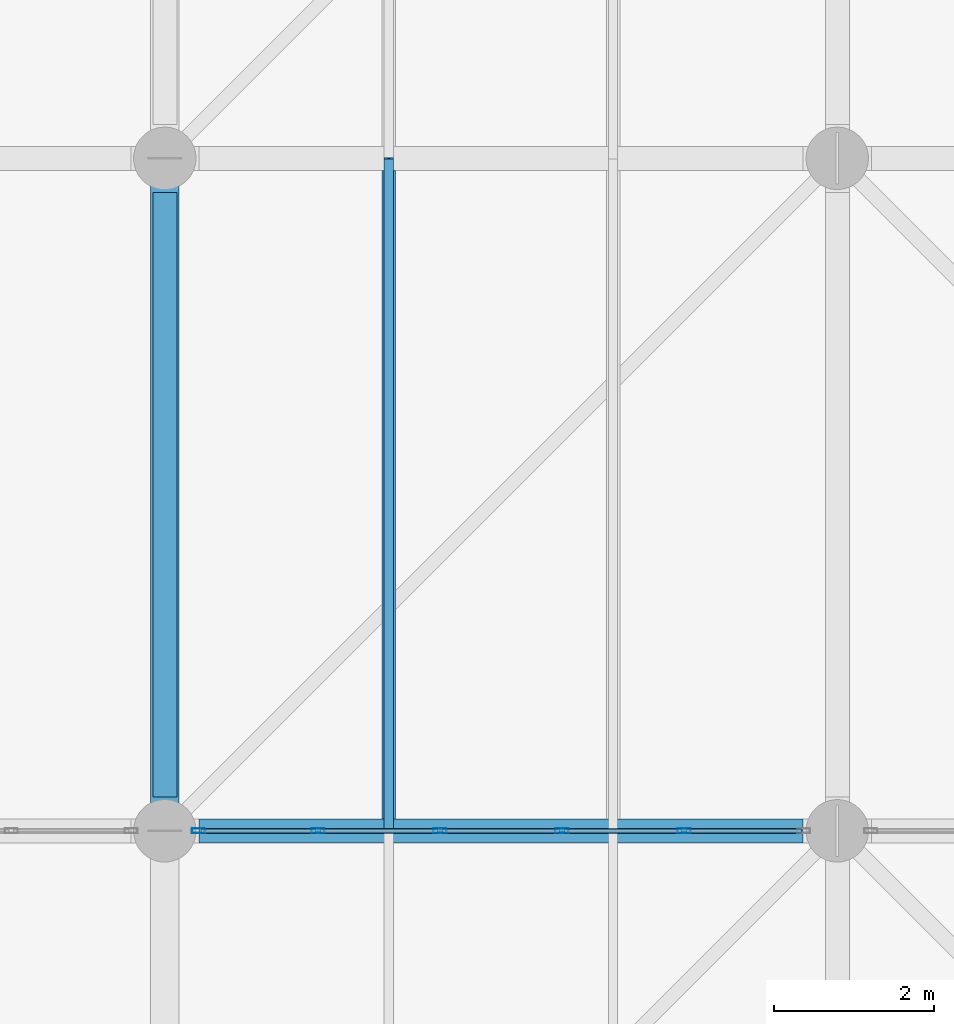
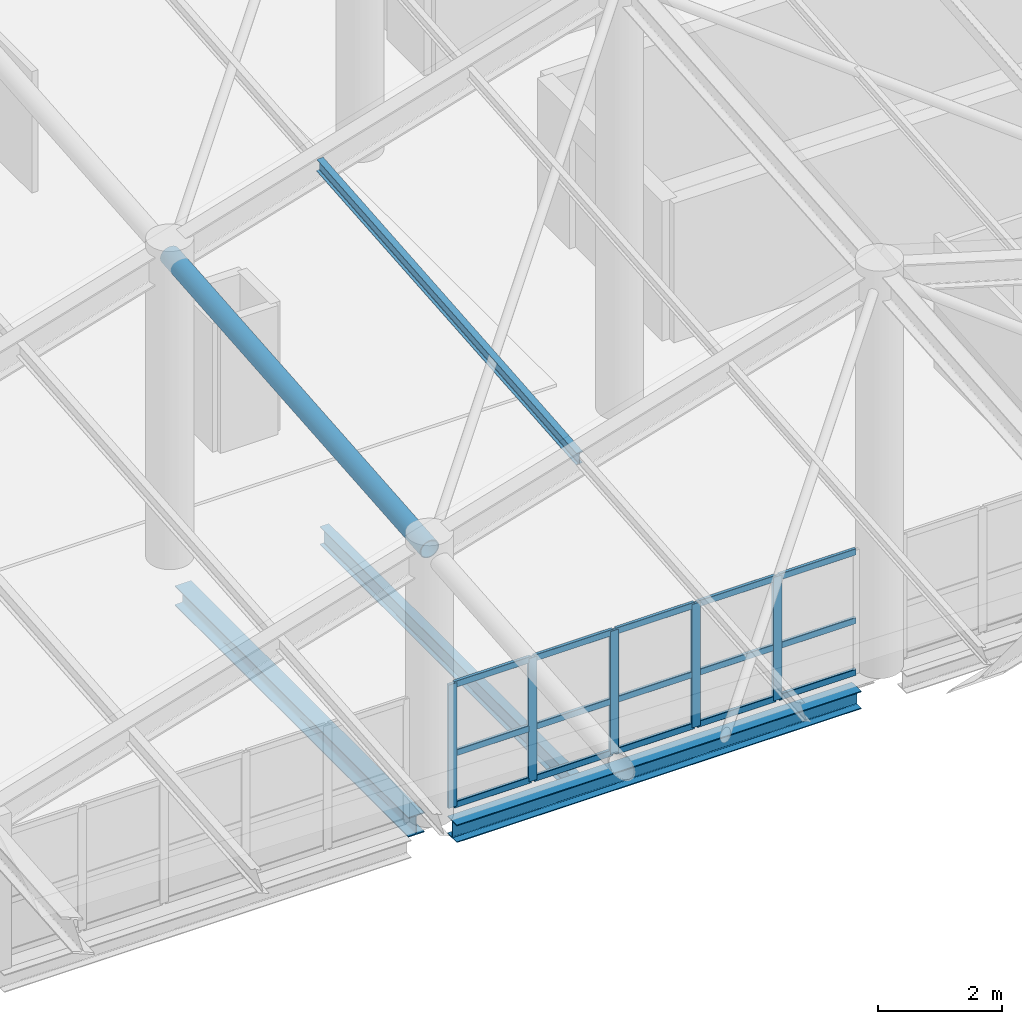
# One storey, part 27 of 95: 22 members, 3 beams, 1 element without a shape of its own.
"""IFC4 building model written with IfcOpenShell, lengths in metres."""

from ifc_helpers import new_model, si_unit, direction, frame, origin, origin_2d, place, context, subcontext, project, spatial, hollow_rectangle, hollow_circle, i_section, extrude, material, layer, layer_set, material_profile, profile_set, type_object, element, aggregate, save


model = new_model("IFC4")

# Units and contexts
model_context = context("Model", 3, precision=1e-05, world=origin(), true_north=direction((0.0, 1.0)))
body_context = subcontext(model_context, "Body", "Model", "MODEL_VIEW")
ifc_project = project(units=[si_unit("LENGTHUNIT", "METRE"), si_unit("AREAUNIT", "SQUARE_METRE"), si_unit("VOLUMEUNIT", "CUBIC_METRE"), si_unit("PLANEANGLEUNIT", "RADIAN"), si_unit("MASSUNIT", "GRAM", prefix="KILO"), si_unit("THERMODYNAMICTEMPERATUREUNIT", "KELVIN"), si_unit("POWERUNIT", "WATT")], contexts=[model_context])

# Site, building, storey
site_placement = place(None, origin())
site = spatial("IfcSite", under=ifc_project, at=site_placement, CompositionType="ELEMENT")
building_placement = place(site_placement, origin())
building = spatial("IfcBuilding", under=site, at=building_placement, Name="Mavoryth Pier Ferry Terminal", CompositionType="ELEMENT")
storey_placement = place(building_placement, frame((0.0, 0.0, 9.60009765625)))
storey = spatial("IfcBuildingStorey", under=building, at=storey_placement, Name="L02", CompositionType="ELEMENT", Elevation=9.60009765625)

# Beam
ifc_material_1 = material(Name="Steel S355J2", Category="steel")
ifc_material_profile_1 = material_profile(ifc_material_1, i_section(OverallWidth=0.300048828125, OverallDepth=0.389892578125, WebThickness=0.010986328125, FlangeThickness=0.01904296875, FilletRadius=0.027099609375, at=origin_2d()), Name="HEA 400", Category="steel")
ifc_profile_set_1 = profile_set([ifc_material_profile_1], Name="Steel S355J2 - HEA 400")
beam_type_1 = type_object("IfcBeamType", Name="Beam-Steel-HEA400", PredefinedType="BEAM", material=ifc_profile_set_1)
beam_1_placement = place(storey_placement, frame((8.39990234375, 72.824951171875, -0.47509765625), z_axis=(0.0, 1.0, 0.0), x_axis=(-1.0, 0.0, 0.0)))
element("IfcBeam", 1, at=beam_1_placement, inside=storey, type_object=beam_type_1, Name="Beam B02-SB04-0633", PredefinedType="BEAM", context=body_context, shape_type="SweptSolid", body=[
    extrude(i_section(OverallWidth=0.300048828125, OverallDepth=0.389892578125, WebThickness=0.010986328125, FlangeThickness=0.01904296875, FilletRadius=0.027099609375, at=origin_2d()), origin(), (0.0, 0.0, 1.0), 7.550048828125),
])

# Member
ifc_material_profile_2 = material_profile(ifc_material_1, hollow_circle(Radius=0.177734375, WallThickness=0.01611328125, at=origin_2d()), Name="CHS 355.6x16.0", Category="steel")
ifc_profile_set_2 = profile_set([ifc_material_profile_2], Name="Steel S355J2 - CHS 355.6x16.0")
member_type_1 = type_object("IfcMemberType", Name="Chord-Valley-CHS356", PredefinedType="CHORD", material=ifc_profile_set_2)
member_1_placement = place(storey_placement, frame((8.39990234375, 72.39990234375, 5.2275390625), z_axis=(0.0, 0.996403523637, 0.084734987362), x_axis=(-1.0, 0.0, 0.0)))
element("IfcMember", 2, at=member_1_placement, inside=storey, type_object=member_type_1, Name="Steel Member MB-L02-0118", PredefinedType="CHORD", context=body_context, shape_type="SweptSolid", body=[
    extrude(hollow_circle(Radius=0.177734375, WallThickness=0.01611328125, at=origin_2d()), origin(), (0.0, 0.0, 1.0), 8.430419921875),
])

# Beam
ifc_material_profile_3 = material_profile(ifc_material_1, i_section(OverallWidth=0.169921875, OverallDepth=0.360107421875, WebThickness=0.008056640625, FlangeThickness=0.0126953125, FilletRadius=0.01806640625, at=origin_2d()), Name="IPE 360", Category="steel")
ifc_profile_set_3 = profile_set([ifc_material_profile_3], Name="Steel S355J2 - IPE 360")
beam_type_2 = type_object("IfcBeamType", Name="Joist-Steel-IPE360", PredefinedType="JOIST", material=ifc_profile_set_3)
beam_2_placement = place(storey_placement, frame((11.199951171875, 72.550048828125, -0.460205078125), z_axis=(0.0, 1.0, 0.0), x_axis=(-1.0, 0.0, 0.0)))
element("IfcBeam", 3, at=beam_2_placement, inside=storey, type_object=beam_type_2, Name="Beam B02-SJ02-0661", PredefinedType="JOIST", context=body_context, shape_type="SweptSolid", body=[
    extrude(i_section(OverallWidth=0.169921875, OverallDepth=0.360107421875, WebThickness=0.008056640625, FlangeThickness=0.0126953125, FilletRadius=0.01806640625, at=origin_2d()), origin(), (0.0, 0.0, 1.0), 8.099853515625),
])

# Curtain wall, members
ifc_material_2 = material(Name="Anodised Aluminium and Solar-Control Low-E Glass", Category="aluminium")
ifc_layer = layer(ifc_material_2, 0.179931640625, Name="Anodised Aluminium and Solar-Control Low-E Glass", Category="aluminium")
ifc_layer_set = layer_set([ifc_layer], Name="Anodised Aluminium and Solar-Control Low-E Glass - CW-Concourse-Mod1400")
curtain_wall_type = type_object("IfcCurtainWallType", Name="CW-Concourse-Mod1400", PredefinedType="USERDEFINED", material=ifc_layer_set)
curtain_wall_placement = place(storey_placement, origin())
curtain_wall = element("IfcCurtainWall", 4, at=curtain_wall_placement, inside=storey, type_object=curtain_wall_type, Name="Curtain Wall CW-0222-042", ObjectType="UNITISED CURTAIN WALL", PredefinedType="USERDEFINED")
ifc_material_3 = material(Name="Anodised Aluminium EN AW-6063", Category="aluminium")
ifc_material_profile_4 = material_profile(ifc_material_3, hollow_rectangle(XDim=0.06005859375, YDim=0.1650390625, WallThickness=0.00390625, InnerFilletRadius=0.00390625, OuterFilletRadius=0.008056640625, at=origin_2d()), Name="AL-MULL 165x60x4", Category="aluminium")
ifc_profile_set_4 = profile_set([ifc_material_profile_4], Name="Anodised Aluminium EN AW-6063 - AL-MULL 165x60x4")
member_type_2 = type_object("IfcMemberType", Name="Mullion-Alum-165x60", PredefinedType="MULLION", material=ifc_profile_set_4)
member_2_placement = place(storey_placement, frame((8.820068359375, 72.39990234375, 0.0), z_axis=(0.0, 0.0, 1.0), x_axis=(0.0, 1.0, 0.0)))
member_2 = element("IfcMember", 5, at=member_2_placement, type_object=member_type_2, Name="CW01 mullion 1", PredefinedType="MULLION", context=body_context, shape_type="SweptSolid", body=[
    extrude(hollow_rectangle(XDim=0.06005859375, YDim=0.1650390625, WallThickness=0.00390625, InnerFilletRadius=0.00390625, OuterFilletRadius=0.008056640625, at=origin_2d()), origin(), (0.0, 0.0, 1.0), 2.435791015625),
])
member_3_placement = place(storey_placement, frame((10.31396484375, 72.39990234375, 0.0), z_axis=(0.0, 0.0, 1.0), x_axis=(0.0, 1.0, 0.0)))
member_3 = element("IfcMember", 6, at=member_3_placement, type_object=member_type_2, Name="CW01 mullion 2", PredefinedType="MULLION", context=body_context, shape_type="SweptSolid", body=[
    extrude(hollow_rectangle(XDim=0.06005859375, YDim=0.1650390625, WallThickness=0.00390625, InnerFilletRadius=0.00390625, OuterFilletRadius=0.008056640625, at=origin_2d()), origin(), (0.0, 0.0, 1.0), 2.435791015625),
])
member_4_placement = place(storey_placement, frame((11.837890625, 72.39990234375, 0.0), z_axis=(0.0, 0.0, 1.0), x_axis=(0.0, 1.0, 0.0)))
member_4 = element("IfcMember", 7, at=member_4_placement, type_object=member_type_2, Name="CW01 mullion 3", PredefinedType="MULLION", context=body_context, shape_type="SweptSolid", body=[
    extrude(hollow_rectangle(XDim=0.06005859375, YDim=0.1650390625, WallThickness=0.00390625, InnerFilletRadius=0.00390625, OuterFilletRadius=0.008056640625, at=origin_2d()), origin(), (0.0, 0.0, 1.0), 2.435791015625),
])
member_5_placement = place(storey_placement, frame((13.362060546875, 72.39990234375, 0.0), z_axis=(0.0, 0.0, 1.0), x_axis=(0.0, 1.0, 0.0)))
member_5 = element("IfcMember", 8, at=member_5_placement, type_object=member_type_2, Name="CW01 mullion 4", PredefinedType="MULLION", context=body_context, shape_type="SweptSolid", body=[
    extrude(hollow_rectangle(XDim=0.06005859375, YDim=0.1650390625, WallThickness=0.00390625, InnerFilletRadius=0.00390625, OuterFilletRadius=0.008056640625, at=origin_2d()), origin(), (0.0, 0.0, 1.0), 2.435791015625),
])
member_6_placement = place(storey_placement, frame((14.885986328125, 72.39990234375, 0.0), z_axis=(0.0, 0.0, 1.0), x_axis=(0.0, 1.0, 0.0)))
member_6 = element("IfcMember", 9, at=member_6_placement, type_object=member_type_2, Name="CW01 mullion 5", PredefinedType="MULLION", context=body_context, shape_type="SweptSolid", body=[
    extrude(hollow_rectangle(XDim=0.06005859375, YDim=0.1650390625, WallThickness=0.00390625, InnerFilletRadius=0.00390625, OuterFilletRadius=0.008056640625, at=origin_2d()), origin(), (0.0, 0.0, 1.0), 2.435791015625),
])

# Member
ifc_material_profile_5 = material_profile(ifc_material_1, i_section(OverallWidth=0.1201171875, OverallDepth=0.239990234375, WebThickness=0.006103515625, FlangeThickness=0.009765625, FilletRadius=0.014892578125, at=origin_2d()), Name="IPE 240", Category="steel")
ifc_profile_set_5 = profile_set([ifc_material_profile_5], Name="Steel S355J2 - IPE 240")
member_type_3 = type_object("IfcMemberType", Name="Purlin-Roof-IPE240", PredefinedType="PURLIN", material=ifc_profile_set_5)
member_7_placement = place(storey_placement, frame((11.199951171875, 72.39990234375, 6.040283203125), z_axis=(0.0, 0.996403523637, 0.084734987362), x_axis=(-1.0, 0.0, 0.0)))
element("IfcMember", 10, at=member_7_placement, inside=storey, type_object=member_type_3, Name="Steel Member MB-L02-0122", PredefinedType="PURLIN", context=body_context, shape_type="SweptSolid", body=[
    extrude(i_section(OverallWidth=0.1201171875, OverallDepth=0.239990234375, WebThickness=0.006103515625, FlangeThickness=0.009765625, FilletRadius=0.014892578125, at=origin_2d()), origin(), (0.0, 0.0, 1.0), 8.430419921875),
])

# Beam
ifc_material_profile_6 = material_profile(ifc_material_1, i_section(OverallWidth=0.300048828125, OverallDepth=0.35009765625, WebThickness=0.010009765625, FlangeThickness=0.017578125, FilletRadius=0.027099609375, at=origin_2d()), Name="HEA 360", Category="steel")
ifc_profile_set_6 = profile_set([ifc_material_profile_6], Name="Steel S355J2 - HEA 360")
beam_type_3 = type_object("IfcBeamType", Name="Spandrel-Steel-HEA360", PredefinedType="SPANDREL", material=ifc_profile_set_6)
beam_3_placement = place(storey_placement, frame((8.824951171875, 72.39990234375, -0.455078125), z_axis=(1.0, 0.0, 0.0), x_axis=(0.0, 1.0, 0.0)))
element("IfcBeam", 11, at=beam_3_placement, inside=storey, type_object=beam_type_3, Name="Beam B02-SP03-0605", PredefinedType="SPANDREL", context=body_context, shape_type="SweptSolid", body=[
    extrude(i_section(OverallWidth=0.300048828125, OverallDepth=0.35009765625, WebThickness=0.010009765625, FlangeThickness=0.017578125, FilletRadius=0.027099609375, at=origin_2d()), origin(), (0.0, 0.0, 1.0), 7.550048828125),
])

# Member
ifc_material_profile_7 = material_profile(ifc_material_3, hollow_rectangle(XDim=0.06005859375, YDim=0.125, WallThickness=0.00390625, InnerFilletRadius=0.00390625, OuterFilletRadius=0.008056640625, at=origin_2d()), Name="AL-TRAN 125x60x4", Category="aluminium")
ifc_profile_set_7 = profile_set([ifc_material_profile_7], Name="Anodised Aluminium EN AW-6063 - AL-TRAN 125x60x4")
member_type_4 = type_object("IfcMemberType", Name="Transom-Alum-125x60", PredefinedType="USERDEFINED", material=ifc_profile_set_7)
member_8_placement = place(storey_placement, frame((8.85009765625, 72.39990234375, 0.02978515625), z_axis=(1.0, 0.0, 0.0), x_axis=(0.0, 1.0, 0.0)))
member_8 = element("IfcMember", 12, at=member_8_placement, type_object=member_type_4, Name="CW01 transom 1.1", ObjectType="TRANSOM", PredefinedType="USERDEFINED", context=body_context, shape_type="SweptSolid", body=[
    extrude(hollow_rectangle(XDim=0.06005859375, YDim=0.125, WallThickness=0.00390625, InnerFilletRadius=0.00390625, OuterFilletRadius=0.008056640625, at=origin_2d()), origin(), (0.0, 0.0, 1.0), 1.433837890625),
])

member_9_placement = place(storey_placement, frame((8.85009765625, 72.39990234375, 1.0498046875), z_axis=(1.0, 0.0, 0.0), x_axis=(0.0, 1.0, 0.0)))
member_9 = element("IfcMember", 13, at=member_9_placement, type_object=member_type_4, Name="CW01 transom 1.2", ObjectType="TRANSOM", PredefinedType="USERDEFINED", context=body_context, shape_type="SweptSolid", body=[
    extrude(hollow_rectangle(XDim=0.06005859375, YDim=0.125, WallThickness=0.00390625, InnerFilletRadius=0.00390625, OuterFilletRadius=0.008056640625, at=origin_2d()), origin(), (0.0, 0.0, 1.0), 1.433837890625),
])

member_10_placement = place(storey_placement, frame((8.85009765625, 72.39990234375, 2.406005859375), z_axis=(1.0, 0.0, 0.0), x_axis=(0.0, 1.0, 0.0)))
member_10 = element("IfcMember", 14, at=member_10_placement, type_object=member_type_4, Name="CW01 transom 1.3", ObjectType="TRANSOM", PredefinedType="USERDEFINED", context=body_context, shape_type="SweptSolid", body=[
    extrude(hollow_rectangle(XDim=0.06005859375, YDim=0.125, WallThickness=0.00390625, InnerFilletRadius=0.00390625, OuterFilletRadius=0.008056640625, at=origin_2d()), origin(), (0.0, 0.0, 1.0), 1.433837890625),
])

member_11_placement = place(storey_placement, frame((10.343994140625, 72.39990234375, 0.02978515625), z_axis=(1.0, 0.0, 0.0), x_axis=(0.0, 1.0, 0.0)))
member_11 = element("IfcMember", 15, at=member_11_placement, type_object=member_type_4, Name="CW01 transom 2.1", ObjectType="TRANSOM", PredefinedType="USERDEFINED", context=body_context, shape_type="SweptSolid", body=[
    extrude(hollow_rectangle(XDim=0.06005859375, YDim=0.125, WallThickness=0.00390625, InnerFilletRadius=0.00390625, OuterFilletRadius=0.008056640625, at=origin_2d()), origin(), (0.0, 0.0, 1.0), 1.464111328125),
])

member_12_placement = place(storey_placement, frame((10.343994140625, 72.39990234375, 1.0498046875), z_axis=(1.0, 0.0, 0.0), x_axis=(0.0, 1.0, 0.0)))
member_12 = element("IfcMember", 16, at=member_12_placement, type_object=member_type_4, Name="CW01 transom 2.2", ObjectType="TRANSOM", PredefinedType="USERDEFINED", context=body_context, shape_type="SweptSolid", body=[
    extrude(hollow_rectangle(XDim=0.06005859375, YDim=0.125, WallThickness=0.00390625, InnerFilletRadius=0.00390625, OuterFilletRadius=0.008056640625, at=origin_2d()), origin(), (0.0, 0.0, 1.0), 1.464111328125),
])

member_13_placement = place(storey_placement, frame((10.343994140625, 72.39990234375, 2.406005859375), z_axis=(1.0, 0.0, 0.0), x_axis=(0.0, 1.0, 0.0)))
member_13 = element("IfcMember", 17, at=member_13_placement, type_object=member_type_4, Name="CW01 transom 2.3", ObjectType="TRANSOM", PredefinedType="USERDEFINED", context=body_context, shape_type="SweptSolid", body=[
    extrude(hollow_rectangle(XDim=0.06005859375, YDim=0.125, WallThickness=0.00390625, InnerFilletRadius=0.00390625, OuterFilletRadius=0.008056640625, at=origin_2d()), origin(), (0.0, 0.0, 1.0), 1.464111328125),
])

member_14_placement = place(storey_placement, frame((11.867919921875, 72.39990234375, 0.02978515625), z_axis=(1.0, 0.0, 0.0), x_axis=(0.0, 1.0, 0.0)))
member_14 = element("IfcMember", 18, at=member_14_placement, type_object=member_type_4, Name="CW01 transom 3.1", ObjectType="TRANSOM", PredefinedType="USERDEFINED", context=body_context, shape_type="SweptSolid", body=[
    extrude(hollow_rectangle(XDim=0.06005859375, YDim=0.125, WallThickness=0.00390625, InnerFilletRadius=0.00390625, OuterFilletRadius=0.008056640625, at=origin_2d()), origin(), (0.0, 0.0, 1.0), 1.464111328125),
])

member_15_placement = place(storey_placement, frame((11.867919921875, 72.39990234375, 1.0498046875), z_axis=(1.0, 0.0, 0.0), x_axis=(0.0, 1.0, 0.0)))
member_15 = element("IfcMember", 19, at=member_15_placement, type_object=member_type_4, Name="CW01 transom 3.2", ObjectType="TRANSOM", PredefinedType="USERDEFINED", context=body_context, shape_type="SweptSolid", body=[
    extrude(hollow_rectangle(XDim=0.06005859375, YDim=0.125, WallThickness=0.00390625, InnerFilletRadius=0.00390625, OuterFilletRadius=0.008056640625, at=origin_2d()), origin(), (0.0, 0.0, 1.0), 1.464111328125),
])

member_16_placement = place(storey_placement, frame((11.867919921875, 72.39990234375, 2.406005859375), z_axis=(1.0, 0.0, 0.0), x_axis=(0.0, 1.0, 0.0)))
member_16 = element("IfcMember", 20, at=member_16_placement, type_object=member_type_4, Name="CW01 transom 3.3", ObjectType="TRANSOM", PredefinedType="USERDEFINED", context=body_context, shape_type="SweptSolid", body=[
    extrude(hollow_rectangle(XDim=0.06005859375, YDim=0.125, WallThickness=0.00390625, InnerFilletRadius=0.00390625, OuterFilletRadius=0.008056640625, at=origin_2d()), origin(), (0.0, 0.0, 1.0), 1.464111328125),
])

member_17_placement = place(storey_placement, frame((13.39208984375, 72.39990234375, 0.02978515625), z_axis=(1.0, 0.0, 0.0), x_axis=(0.0, 1.0, 0.0)))
member_17 = element("IfcMember", 21, at=member_17_placement, type_object=member_type_4, Name="CW01 transom 4.1", ObjectType="TRANSOM", PredefinedType="USERDEFINED", context=body_context, shape_type="SweptSolid", body=[
    extrude(hollow_rectangle(XDim=0.06005859375, YDim=0.125, WallThickness=0.00390625, InnerFilletRadius=0.00390625, OuterFilletRadius=0.008056640625, at=origin_2d()), origin(), (0.0, 0.0, 1.0), 1.4638671875),
])

member_18_placement = place(storey_placement, frame((13.39208984375, 72.39990234375, 1.0498046875), z_axis=(1.0, 0.0, 0.0), x_axis=(0.0, 1.0, 0.0)))
member_18 = element("IfcMember", 22, at=member_18_placement, type_object=member_type_4, Name="CW01 transom 4.2", ObjectType="TRANSOM", PredefinedType="USERDEFINED", context=body_context, shape_type="SweptSolid", body=[
    extrude(hollow_rectangle(XDim=0.06005859375, YDim=0.125, WallThickness=0.00390625, InnerFilletRadius=0.00390625, OuterFilletRadius=0.008056640625, at=origin_2d()), origin(), (0.0, 0.0, 1.0), 1.4638671875),
])

member_19_placement = place(storey_placement, frame((13.39208984375, 72.39990234375, 2.406005859375), z_axis=(1.0, 0.0, 0.0), x_axis=(0.0, 1.0, 0.0)))
member_19 = element("IfcMember", 23, at=member_19_placement, type_object=member_type_4, Name="CW01 transom 4.3", ObjectType="TRANSOM", PredefinedType="USERDEFINED", context=body_context, shape_type="SweptSolid", body=[
    extrude(hollow_rectangle(XDim=0.06005859375, YDim=0.125, WallThickness=0.00390625, InnerFilletRadius=0.00390625, OuterFilletRadius=0.008056640625, at=origin_2d()), origin(), (0.0, 0.0, 1.0), 1.4638671875),
])

member_20_placement = place(storey_placement, frame((14.916015625, 72.39990234375, 0.02978515625), z_axis=(1.0, 0.0, 0.0), x_axis=(0.0, 1.0, 0.0)))
member_20 = element("IfcMember", 24, at=member_20_placement, type_object=member_type_4, Name="CW01 transom 5.1", ObjectType="TRANSOM", PredefinedType="USERDEFINED", context=body_context, shape_type="SweptSolid", body=[
    extrude(hollow_rectangle(XDim=0.06005859375, YDim=0.125, WallThickness=0.00390625, InnerFilletRadius=0.00390625, OuterFilletRadius=0.008056640625, at=origin_2d()), origin(), (0.0, 0.0, 1.0), 1.43408203125),
])

member_21_placement = place(storey_placement, frame((14.916015625, 72.39990234375, 1.0498046875), z_axis=(1.0, 0.0, 0.0), x_axis=(0.0, 1.0, 0.0)))
member_21 = element("IfcMember", 25, at=member_21_placement, type_object=member_type_4, Name="CW01 transom 5.2", ObjectType="TRANSOM", PredefinedType="USERDEFINED", context=body_context, shape_type="SweptSolid", body=[
    extrude(hollow_rectangle(XDim=0.06005859375, YDim=0.125, WallThickness=0.00390625, InnerFilletRadius=0.00390625, OuterFilletRadius=0.008056640625, at=origin_2d()), origin(), (0.0, 0.0, 1.0), 1.43408203125),
])

member_22_placement = place(storey_placement, frame((14.916015625, 72.39990234375, 2.406005859375), z_axis=(1.0, 0.0, 0.0), x_axis=(0.0, 1.0, 0.0)))
member_22 = element("IfcMember", 26, at=member_22_placement, type_object=member_type_4, Name="CW01 transom 5.3", ObjectType="TRANSOM", PredefinedType="USERDEFINED", context=body_context, shape_type="SweptSolid", body=[
    extrude(hollow_rectangle(XDim=0.06005859375, YDim=0.125, WallThickness=0.00390625, InnerFilletRadius=0.00390625, OuterFilletRadius=0.008056640625, at=origin_2d()), origin(), (0.0, 0.0, 1.0), 1.43408203125),
])

aggregate(curtain_wall, [member_2, member_3, member_4, member_5, member_6, member_8, member_9, member_10, member_11, member_12, member_13, member_14, member_15, member_16, member_17, member_18, member_19, member_20, member_21, member_22])

save(model, "model.ifc")
